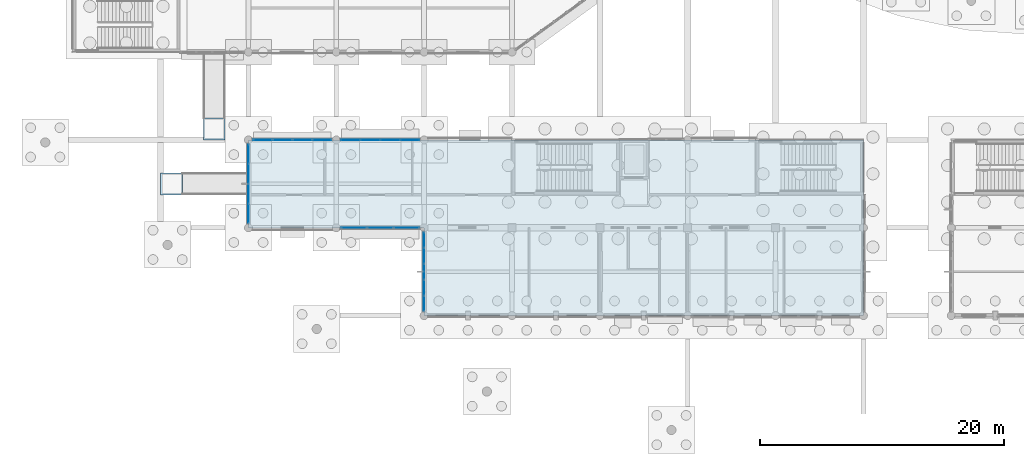
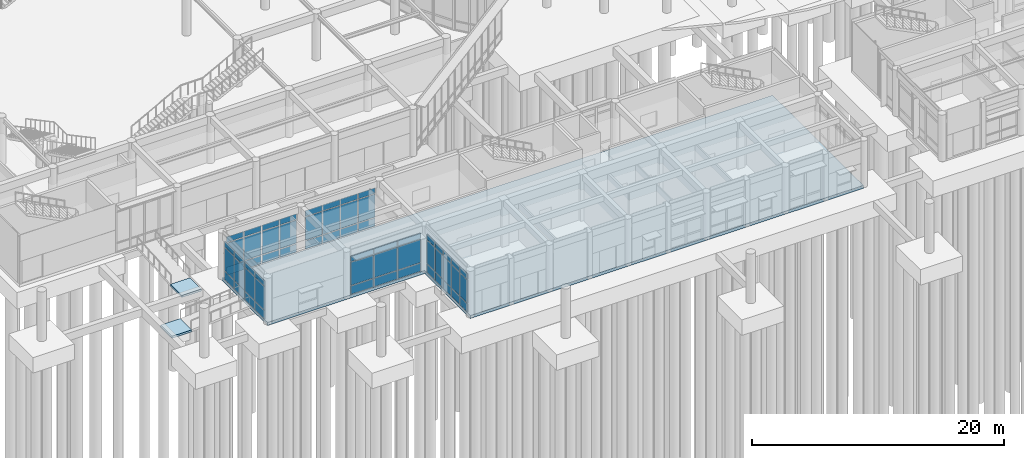
# One storey, part 40 of 103: 60 plates, 3 slabs, 7 elements without a shape of their own.
"""IFC4 building model written with IfcOpenShell, lengths in metres."""

from ifc_helpers import new_model, si_unit, direction, frame, origin, origin_2d, place, context, subcontext, project, spatial, polyline, rectangle, outline, extrude, material, layer, layer_set, type_object, element, aggregate, save


model = new_model("IFC4")

# Units and contexts
model_context = context("Model", 3, precision=1e-05, world=origin(), true_north=direction((0.0, 1.0)))
body_context = subcontext(model_context, "Body", "Model", "MODEL_VIEW")
ifc_project = project(units=[si_unit("LENGTHUNIT", "METRE"), si_unit("AREAUNIT", "SQUARE_METRE"), si_unit("VOLUMEUNIT", "CUBIC_METRE"), si_unit("PLANEANGLEUNIT", "RADIAN"), si_unit("MASSUNIT", "GRAM", prefix="KILO")], contexts=[model_context])

# Site, building, storey
site_placement = place(None, origin())
site = spatial("IfcSite", under=ifc_project, at=site_placement, CompositionType="ELEMENT")
building_placement = place(site_placement, origin())
building = spatial("IfcBuilding", under=site, at=building_placement, Name="Namkhue Oval Health Centre", CompositionType="ELEMENT")
storey_placement = place(building_placement, origin())
storey = spatial("IfcBuildingStorey", under=building, at=storey_placement, Name="L00", CompositionType="ELEMENT", Elevation=0.0)

# Curtain wall, plates
ifc_material_1 = material(Name="Anodised aluminium EN AW-6063 T6", Category="aluminium")
ifc_layer_1 = layer(ifc_material_1, 0.159912109375)
ifc_layer_set_1 = layer_set([ifc_layer_1], Name="Anodised aluminium EN AW-6063 T6")
curtain_wall_type_1 = type_object("IfcCurtainWallType", Name="UNITISED CURTAIN WALL M1500", PredefinedType="NOTDEFINED", material=ifc_layer_set_1)
curtain_wall_1_placement = place(storey_placement, origin())
curtain_wall_1 = element("IfcCurtainWall", 1, at=curtain_wall_1_placement, inside=storey, type_object=curtain_wall_type_1, Name="Volume V4 L00 Unitised Curtain Wall 141", PredefinedType="NOTDEFINED")
ifc_material_2 = material(Name="Thermally broken low-E laminated double glazing", Category="glass")
ifc_layer_2 = layer(ifc_material_2, 0.02587890625)
ifc_layer_set_2 = layer_set([ifc_layer_2], Name="Thermally broken low-E laminated double glazing")
plate_type_1 = type_object("IfcPlateType", Name="CURTAIN WALL GLAZED PANEL 26", PredefinedType="CURTAIN_PANEL", material=ifc_layer_set_2)
plate_1_placement = place(storey_placement, frame((49.232421875, 28.800048828125, 0.06494140625), z_axis=(0.0, 0.0, 1.0), x_axis=(-1.0, 0.0, 0.0)))
plate_1 = element("IfcPlate", 2, at=plate_1_placement, type_object=plate_type_1, Name="CW-03 panel 1.1", PredefinedType="CURTAIN_PANEL", context=body_context, shape_type="SweptSolid", body=[
    extrude(rectangle(XDim=1.534912109375, YDim=0.02587890625, at=origin_2d()), origin(), (0.0, 0.0, 1.0), 0.802490234375),
])
plate_2_placement = place(storey_placement, frame((49.232421875, 28.800048828125, 0.932373046875), z_axis=(0.0, 0.0, 1.0), x_axis=(-1.0, 0.0, 0.0)))
plate_2 = element("IfcPlate", 3, at=plate_2_placement, type_object=plate_type_1, Name="CW-03 panel 1.2", PredefinedType="CURTAIN_PANEL", context=body_context, shape_type="SweptSolid", body=[
    extrude(rectangle(XDim=1.534912109375, YDim=0.02587890625, at=origin_2d()), origin(), (0.0, 0.0, 1.0), 2.2451171875),
])
plate_3_placement = place(storey_placement, frame((49.232421875, 28.800048828125, 3.24267578125), z_axis=(0.0, 0.0, 1.0), x_axis=(-1.0, 0.0, 0.0)))
plate_3 = element("IfcPlate", 4, at=plate_3_placement, type_object=plate_type_1, Name="CW-03 panel 1.3", PredefinedType="CURTAIN_PANEL", context=body_context, shape_type="SweptSolid", body=[
    extrude(rectangle(XDim=1.534912109375, YDim=0.02587890625, at=origin_2d()), origin(), (0.0, 0.0, 1.0), 0.552490234375),
])
plate_4_placement = place(storey_placement, frame((47.6162109375, 28.800048828125, 0.06494140625), z_axis=(0.0, 0.0, 1.0), x_axis=(-1.0, 0.0, 0.0)))
plate_4 = element("IfcPlate", 5, at=plate_4_placement, type_object=plate_type_1, Name="CW-03 panel 2.1", PredefinedType="CURTAIN_PANEL", context=body_context, shape_type="SweptSolid", body=[
    extrude(rectangle(XDim=1.5673828125, YDim=0.02587890625, at=origin_2d()), origin(), (0.0, 0.0, 1.0), 0.802490234375),
])
plate_5_placement = place(storey_placement, frame((47.6162109375, 28.800048828125, 0.932373046875), z_axis=(0.0, 0.0, 1.0), x_axis=(-1.0, 0.0, 0.0)))
plate_5 = element("IfcPlate", 6, at=plate_5_placement, type_object=plate_type_1, Name="CW-03 panel 2.2", PredefinedType="CURTAIN_PANEL", context=body_context, shape_type="SweptSolid", body=[
    extrude(rectangle(XDim=1.5673828125, YDim=0.02587890625, at=origin_2d()), origin(), (0.0, 0.0, 1.0), 2.2451171875),
])
plate_6_placement = place(storey_placement, frame((47.6162109375, 28.800048828125, 3.24267578125), z_axis=(0.0, 0.0, 1.0), x_axis=(-1.0, 0.0, 0.0)))
plate_6 = element("IfcPlate", 7, at=plate_6_placement, type_object=plate_type_1, Name="CW-03 panel 2.3", PredefinedType="CURTAIN_PANEL", context=body_context, shape_type="SweptSolid", body=[
    extrude(rectangle(XDim=1.5673828125, YDim=0.02587890625, at=origin_2d()), origin(), (0.0, 0.0, 1.0), 0.552490234375),
])
plate_7_placement = place(storey_placement, frame((45.983642578125, 28.800048828125, 0.06494140625), z_axis=(0.0, 0.0, 1.0), x_axis=(-1.0, 0.0, 0.0)))
plate_7 = element("IfcPlate", 8, at=plate_7_placement, type_object=plate_type_1, Name="CW-03 panel 3.1", PredefinedType="CURTAIN_PANEL", context=body_context, shape_type="SweptSolid", body=[
    extrude(rectangle(XDim=1.5673828125, YDim=0.02587890625, at=origin_2d()), origin(), (0.0, 0.0, 1.0), 0.802490234375),
])
plate_8_placement = place(storey_placement, frame((45.983642578125, 28.800048828125, 0.932373046875), z_axis=(0.0, 0.0, 1.0), x_axis=(-1.0, 0.0, 0.0)))
plate_8 = element("IfcPlate", 9, at=plate_8_placement, type_object=plate_type_1, Name="CW-03 panel 3.2", PredefinedType="CURTAIN_PANEL", context=body_context, shape_type="SweptSolid", body=[
    extrude(rectangle(XDim=1.5673828125, YDim=0.02587890625, at=origin_2d()), origin(), (0.0, 0.0, 1.0), 2.2451171875),
])
plate_9_placement = place(storey_placement, frame((45.983642578125, 28.800048828125, 3.24267578125), z_axis=(0.0, 0.0, 1.0), x_axis=(-1.0, 0.0, 0.0)))
plate_9 = element("IfcPlate", 10, at=plate_9_placement, type_object=plate_type_1, Name="CW-03 panel 3.3", PredefinedType="CURTAIN_PANEL", context=body_context, shape_type="SweptSolid", body=[
    extrude(rectangle(XDim=1.5673828125, YDim=0.02587890625, at=origin_2d()), origin(), (0.0, 0.0, 1.0), 0.552490234375),
])
plate_10_placement = place(storey_placement, frame((44.367431640625, 28.800048828125, 0.06494140625), z_axis=(0.0, 0.0, 1.0), x_axis=(-1.0, 0.0, 0.0)))
plate_10 = element("IfcPlate", 11, at=plate_10_placement, type_object=plate_type_1, Name="CW-03 panel 4.1", PredefinedType="CURTAIN_PANEL", context=body_context, shape_type="SweptSolid", body=[
    extrude(rectangle(XDim=1.534912109375, YDim=0.02587890625, at=origin_2d()), origin(), (0.0, 0.0, 1.0), 0.802490234375),
])
plate_11_placement = place(storey_placement, frame((44.367431640625, 28.800048828125, 0.932373046875), z_axis=(0.0, 0.0, 1.0), x_axis=(-1.0, 0.0, 0.0)))
plate_11 = element("IfcPlate", 12, at=plate_11_placement, type_object=plate_type_1, Name="CW-03 panel 4.2", PredefinedType="CURTAIN_PANEL", context=body_context, shape_type="SweptSolid", body=[
    extrude(rectangle(XDim=1.534912109375, YDim=0.02587890625, at=origin_2d()), origin(), (0.0, 0.0, 1.0), 2.2451171875),
])
plate_12_placement = place(storey_placement, frame((44.367431640625, 28.800048828125, 3.24267578125), z_axis=(0.0, 0.0, 1.0), x_axis=(-1.0, 0.0, 0.0)))
plate_12 = element("IfcPlate", 13, at=plate_12_placement, type_object=plate_type_1, Name="CW-03 panel 4.3", PredefinedType="CURTAIN_PANEL", context=body_context, shape_type="SweptSolid", body=[
    extrude(rectangle(XDim=1.534912109375, YDim=0.02587890625, at=origin_2d()), origin(), (0.0, 0.0, 1.0), 0.552490234375),
])
aggregate(curtain_wall_1, [plate_1, plate_2, plate_3, plate_4, plate_5, plate_6, plate_7, plate_8, plate_9, plate_10, plate_11, plate_12])

ifc_layer_3 = layer(ifc_material_1, 0.159912109375)
ifc_layer_set_3 = layer_set([ifc_layer_3], Name="Anodised aluminium EN AW-6063 T6")
curtain_wall_type_2 = type_object("IfcCurtainWallType", Name="UNITISED CURTAIN WALL M1200", PredefinedType="NOTDEFINED", material=ifc_layer_set_3)
curtain_wall_2_placement = place(storey_placement, origin())
curtain_wall_2 = element("IfcCurtainWall", 14, at=curtain_wall_2_placement, inside=storey, type_object=curtain_wall_type_2, Name="Volume V4 L00 Unitised Curtain Wall 145", PredefinedType="NOTDEFINED")
plate_13_placement = place(storey_placement, frame((50.39990234375, 20.595703125, 0.06494140625), z_axis=(0.0, 0.0, 1.0), x_axis=(0.0, -1.0, 0.0)))
plate_13 = element("IfcPlate", 15, at=plate_13_placement, type_object=plate_type_1, Name="CW-01 panel 1.1", PredefinedType="CURTAIN_PANEL", context=body_context, shape_type="SweptSolid", body=[
    extrude(rectangle(XDim=1.20849609375, YDim=0.02587890625, at=origin_2d()), origin(), (0.0, 0.0, 1.0), 0.802490234375),
])
plate_14_placement = place(storey_placement, frame((50.39990234375, 20.595703125, 0.932373046875), z_axis=(0.0, 0.0, 1.0), x_axis=(0.0, -1.0, 0.0)))
plate_14 = element("IfcPlate", 16, at=plate_14_placement, type_object=plate_type_1, Name="CW-01 panel 1.2", PredefinedType="CURTAIN_PANEL", context=body_context, shape_type="SweptSolid", body=[
    extrude(rectangle(XDim=1.20849609375, YDim=0.02587890625, at=origin_2d()), origin(), (0.0, 0.0, 1.0), 2.2451171875),
])
plate_15_placement = place(storey_placement, frame((50.39990234375, 20.595703125, 3.24267578125), z_axis=(0.0, 0.0, 1.0), x_axis=(0.0, -1.0, 0.0)))
plate_15 = element("IfcPlate", 17, at=plate_15_placement, type_object=plate_type_1, Name="CW-01 panel 1.3", PredefinedType="CURTAIN_PANEL", context=body_context, shape_type="SweptSolid", body=[
    extrude(rectangle(XDim=1.20849609375, YDim=0.02587890625, at=origin_2d()), origin(), (0.0, 0.0, 1.0), 0.552490234375),
])
plate_16_placement = place(storey_placement, frame((50.39990234375, 19.305908203125, 0.06494140625), z_axis=(0.0, 0.0, 1.0), x_axis=(0.0, -1.0, 0.0)))
plate_16 = element("IfcPlate", 18, at=plate_16_placement, type_object=plate_type_1, Name="CW-01 panel 2.1", PredefinedType="CURTAIN_PANEL", context=body_context, shape_type="SweptSolid", body=[
    extrude(rectangle(XDim=1.240966796875, YDim=0.02587890625, at=origin_2d()), origin(), (0.0, 0.0, 1.0), 0.802490234375),
])
plate_17_placement = place(storey_placement, frame((50.39990234375, 19.305908203125, 0.932373046875), z_axis=(0.0, 0.0, 1.0), x_axis=(0.0, -1.0, 0.0)))
plate_17 = element("IfcPlate", 19, at=plate_17_placement, type_object=plate_type_1, Name="CW-01 panel 2.2", PredefinedType="CURTAIN_PANEL", context=body_context, shape_type="SweptSolid", body=[
    extrude(rectangle(XDim=1.240966796875, YDim=0.02587890625, at=origin_2d()), origin(), (0.0, 0.0, 1.0), 2.2451171875),
])
plate_18_placement = place(storey_placement, frame((50.39990234375, 19.305908203125, 3.24267578125), z_axis=(0.0, 0.0, 1.0), x_axis=(0.0, -1.0, 0.0)))
plate_18 = element("IfcPlate", 20, at=plate_18_placement, type_object=plate_type_1, Name="CW-01 panel 2.3", PredefinedType="CURTAIN_PANEL", context=body_context, shape_type="SweptSolid", body=[
    extrude(rectangle(XDim=1.240966796875, YDim=0.02587890625, at=origin_2d()), origin(), (0.0, 0.0, 1.0), 0.552490234375),
])
plate_19_placement = place(storey_placement, frame((50.39990234375, 18.0, 0.06494140625), z_axis=(0.0, 0.0, 1.0), x_axis=(0.0, -1.0, 0.0)))
plate_19 = element("IfcPlate", 21, at=plate_19_placement, type_object=plate_type_1, Name="CW-01 panel 3.1", PredefinedType="CURTAIN_PANEL", context=body_context, shape_type="SweptSolid", body=[
    extrude(rectangle(XDim=1.240966796875, YDim=0.02587890625, at=origin_2d()), origin(), (0.0, 0.0, 1.0), 0.802490234375),
])
plate_20_placement = place(storey_placement, frame((50.39990234375, 18.0, 0.932373046875), z_axis=(0.0, 0.0, 1.0), x_axis=(0.0, -1.0, 0.0)))
plate_20 = element("IfcPlate", 22, at=plate_20_placement, type_object=plate_type_1, Name="CW-01 panel 3.2", PredefinedType="CURTAIN_PANEL", context=body_context, shape_type="SweptSolid", body=[
    extrude(rectangle(XDim=1.240966796875, YDim=0.02587890625, at=origin_2d()), origin(), (0.0, 0.0, 1.0), 2.2451171875),
])
plate_21_placement = place(storey_placement, frame((50.39990234375, 18.0, 3.24267578125), z_axis=(0.0, 0.0, 1.0), x_axis=(0.0, -1.0, 0.0)))
plate_21 = element("IfcPlate", 23, at=plate_21_placement, type_object=plate_type_1, Name="CW-01 panel 3.3", PredefinedType="CURTAIN_PANEL", context=body_context, shape_type="SweptSolid", body=[
    extrude(rectangle(XDim=1.240966796875, YDim=0.02587890625, at=origin_2d()), origin(), (0.0, 0.0, 1.0), 0.552490234375),
])
plate_22_placement = place(storey_placement, frame((50.39990234375, 16.694091796875, 0.06494140625), z_axis=(0.0, 0.0, 1.0), x_axis=(0.0, -1.0, 0.0)))
plate_22 = element("IfcPlate", 24, at=plate_22_placement, type_object=plate_type_1, Name="CW-01 panel 4.1", PredefinedType="CURTAIN_PANEL", context=body_context, shape_type="SweptSolid", body=[
    extrude(rectangle(XDim=1.240966796875, YDim=0.02587890625, at=origin_2d()), origin(), (0.0, 0.0, 1.0), 0.802490234375),
])
plate_23_placement = place(storey_placement, frame((50.39990234375, 16.694091796875, 0.932373046875), z_axis=(0.0, 0.0, 1.0), x_axis=(0.0, -1.0, 0.0)))
plate_23 = element("IfcPlate", 25, at=plate_23_placement, type_object=plate_type_1, Name="CW-01 panel 4.2", PredefinedType="CURTAIN_PANEL", context=body_context, shape_type="SweptSolid", body=[
    extrude(rectangle(XDim=1.240966796875, YDim=0.02587890625, at=origin_2d()), origin(), (0.0, 0.0, 1.0), 2.2451171875),
])
plate_24_placement = place(storey_placement, frame((50.39990234375, 16.694091796875, 3.24267578125), z_axis=(0.0, 0.0, 1.0), x_axis=(0.0, -1.0, 0.0)))
plate_24 = element("IfcPlate", 26, at=plate_24_placement, type_object=plate_type_1, Name="CW-01 panel 4.3", PredefinedType="CURTAIN_PANEL", context=body_context, shape_type="SweptSolid", body=[
    extrude(rectangle(XDim=1.240966796875, YDim=0.02587890625, at=origin_2d()), origin(), (0.0, 0.0, 1.0), 0.552490234375),
])
plate_25_placement = place(storey_placement, frame((50.39990234375, 15.404296875, 0.06494140625), z_axis=(0.0, 0.0, 1.0), x_axis=(0.0, -1.0, 0.0)))
plate_25 = element("IfcPlate", 27, at=plate_25_placement, type_object=plate_type_1, Name="CW-01 panel 5.1", PredefinedType="CURTAIN_PANEL", context=body_context, shape_type="SweptSolid", body=[
    extrude(rectangle(XDim=1.20849609375, YDim=0.02587890625, at=origin_2d()), origin(), (0.0, 0.0, 1.0), 0.802490234375),
])
plate_26_placement = place(storey_placement, frame((50.39990234375, 15.404296875, 0.932373046875), z_axis=(0.0, 0.0, 1.0), x_axis=(0.0, -1.0, 0.0)))
plate_26 = element("IfcPlate", 28, at=plate_26_placement, type_object=plate_type_1, Name="CW-01 panel 5.2", PredefinedType="CURTAIN_PANEL", context=body_context, shape_type="SweptSolid", body=[
    extrude(rectangle(XDim=1.20849609375, YDim=0.02587890625, at=origin_2d()), origin(), (0.0, 0.0, 1.0), 2.2451171875),
])
plate_27_placement = place(storey_placement, frame((50.39990234375, 15.404296875, 3.24267578125), z_axis=(0.0, 0.0, 1.0), x_axis=(0.0, -1.0, 0.0)))
plate_27 = element("IfcPlate", 29, at=plate_27_placement, type_object=plate_type_1, Name="CW-01 panel 5.3", PredefinedType="CURTAIN_PANEL", context=body_context, shape_type="SweptSolid", body=[
    extrude(rectangle(XDim=1.20849609375, YDim=0.02587890625, at=origin_2d()), origin(), (0.0, 0.0, 1.0), 0.552490234375),
])
aggregate(curtain_wall_2, [plate_13, plate_14, plate_15, plate_16, plate_17, plate_18, plate_19, plate_20, plate_21, plate_22, plate_23, plate_24, plate_25, plate_26, plate_27])

ifc_layer_4 = layer(ifc_material_1, 0.159912109375)
ifc_layer_set_4 = layer_set([ifc_layer_4], Name="Anodised aluminium EN AW-6063 T6")
curtain_wall_type_3 = type_object("IfcCurtainWallType", Name="UNITISED CURTAIN WALL M1600", PredefinedType="NOTDEFINED", material=ifc_layer_set_4)
curtain_wall_3_placement = place(storey_placement, origin())
curtain_wall_3 = element("IfcCurtainWall", 30, at=curtain_wall_3_placement, inside=storey, type_object=curtain_wall_type_3, Name="Volume V4 L00 Unitised Curtain Wall 142", PredefinedType="NOTDEFINED")
ifc_layer_5 = layer(ifc_material_2, 0.028076171875)
ifc_layer_set_5 = layer_set([ifc_layer_5], Name="Thermally broken low-E laminated double glazing")
plate_type_2 = type_object("IfcPlateType", Name="CURTAIN WALL GLAZED PANEL 28", PredefinedType="CURTAIN_PANEL", material=ifc_layer_set_5)
plate_28_placement = place(storey_placement, frame((42.030029296875, 28.800048828125, 0.074951171875), z_axis=(0.0, 0.0, 1.0), x_axis=(-1.0, 0.0, 0.0)))
plate_28 = element("IfcPlate", 31, at=plate_28_placement, type_object=plate_type_2, Name="CW-04 panel 1.1", PredefinedType="CURTAIN_PANEL", context=body_context, shape_type="SweptSolid", body=[
    extrude(rectangle(XDim=1.52001953125, YDim=0.028076171875, at=origin_2d()), origin(), (0.0, 0.0, 1.0), 0.78759765625),
])
plate_29_placement = place(storey_placement, frame((42.030029296875, 28.800048828125, 0.9375), z_axis=(0.0, 0.0, 1.0), x_axis=(-1.0, 0.0, 0.0)))
plate_29 = element("IfcPlate", 32, at=plate_29_placement, type_object=plate_type_2, Name="CW-04 panel 1.2", PredefinedType="CURTAIN_PANEL", context=body_context, shape_type="SweptSolid", body=[
    extrude(rectangle(XDim=1.52001953125, YDim=0.028076171875, at=origin_2d()), origin(), (0.0, 0.0, 1.0), 2.235107421875),
])
plate_30_placement = place(storey_placement, frame((42.030029296875, 28.800048828125, 3.24755859375), z_axis=(0.0, 0.0, 1.0), x_axis=(-1.0, 0.0, 0.0)))
plate_30 = element("IfcPlate", 33, at=plate_30_placement, type_object=plate_type_2, Name="CW-04 panel 1.3", PredefinedType="CURTAIN_PANEL", context=body_context, shape_type="SweptSolid", body=[
    extrude(rectangle(XDim=1.52001953125, YDim=0.028076171875, at=origin_2d()), origin(), (0.0, 0.0, 1.0), 0.53759765625),
])
plate_31_placement = place(storey_placement, frame((40.416259765625, 28.800048828125, 0.074951171875), z_axis=(0.0, 0.0, 1.0), x_axis=(-1.0, 0.0, 0.0)))
plate_31 = element("IfcPlate", 34, at=plate_31_placement, type_object=plate_type_2, Name="CW-04 panel 2.1", PredefinedType="CURTAIN_PANEL", context=body_context, shape_type="SweptSolid", body=[
    extrude(rectangle(XDim=1.5576171875, YDim=0.028076171875, at=origin_2d()), origin(), (0.0, 0.0, 1.0), 0.78759765625),
])
plate_32_placement = place(storey_placement, frame((40.416259765625, 28.800048828125, 0.9375), z_axis=(0.0, 0.0, 1.0), x_axis=(-1.0, 0.0, 0.0)))
plate_32 = element("IfcPlate", 35, at=plate_32_placement, type_object=plate_type_2, Name="CW-04 panel 2.2", PredefinedType="CURTAIN_PANEL", context=body_context, shape_type="SweptSolid", body=[
    extrude(rectangle(XDim=1.5576171875, YDim=0.028076171875, at=origin_2d()), origin(), (0.0, 0.0, 1.0), 2.235107421875),
])
plate_33_placement = place(storey_placement, frame((40.416259765625, 28.800048828125, 3.24755859375), z_axis=(0.0, 0.0, 1.0), x_axis=(-1.0, 0.0, 0.0)))
plate_33 = element("IfcPlate", 36, at=plate_33_placement, type_object=plate_type_2, Name="CW-04 panel 2.3", PredefinedType="CURTAIN_PANEL", context=body_context, shape_type="SweptSolid", body=[
    extrude(rectangle(XDim=1.5576171875, YDim=0.028076171875, at=origin_2d()), origin(), (0.0, 0.0, 1.0), 0.53759765625),
])
plate_34_placement = place(storey_placement, frame((38.78369140625, 28.800048828125, 0.074951171875), z_axis=(0.0, 0.0, 1.0), x_axis=(-1.0, 0.0, 0.0)))
plate_34 = element("IfcPlate", 37, at=plate_34_placement, type_object=plate_type_2, Name="CW-04 panel 3.1", PredefinedType="CURTAIN_PANEL", context=body_context, shape_type="SweptSolid", body=[
    extrude(rectangle(XDim=1.5576171875, YDim=0.028076171875, at=origin_2d()), origin(), (0.0, 0.0, 1.0), 0.78759765625),
])
plate_35_placement = place(storey_placement, frame((38.78369140625, 28.800048828125, 0.9375), z_axis=(0.0, 0.0, 1.0), x_axis=(-1.0, 0.0, 0.0)))
plate_35 = element("IfcPlate", 38, at=plate_35_placement, type_object=plate_type_2, Name="CW-04 panel 3.2", PredefinedType="CURTAIN_PANEL", context=body_context, shape_type="SweptSolid", body=[
    extrude(rectangle(XDim=1.5576171875, YDim=0.028076171875, at=origin_2d()), origin(), (0.0, 0.0, 1.0), 2.235107421875),
])
plate_36_placement = place(storey_placement, frame((38.78369140625, 28.800048828125, 3.24755859375), z_axis=(0.0, 0.0, 1.0), x_axis=(-1.0, 0.0, 0.0)))
plate_36 = element("IfcPlate", 39, at=plate_36_placement, type_object=plate_type_2, Name="CW-04 panel 3.3", PredefinedType="CURTAIN_PANEL", context=body_context, shape_type="SweptSolid", body=[
    extrude(rectangle(XDim=1.5576171875, YDim=0.028076171875, at=origin_2d()), origin(), (0.0, 0.0, 1.0), 0.53759765625),
])
plate_37_placement = place(storey_placement, frame((37.169921875, 28.800048828125, 0.074951171875), z_axis=(0.0, 0.0, 1.0), x_axis=(-1.0, 0.0, 0.0)))
plate_37 = element("IfcPlate", 40, at=plate_37_placement, type_object=plate_type_2, Name="CW-04 panel 4.1", PredefinedType="CURTAIN_PANEL", context=body_context, shape_type="SweptSolid", body=[
    extrude(rectangle(XDim=1.52001953125, YDim=0.028076171875, at=origin_2d()), origin(), (0.0, 0.0, 1.0), 0.78759765625),
])
plate_38_placement = place(storey_placement, frame((37.169921875, 28.800048828125, 0.9375), z_axis=(0.0, 0.0, 1.0), x_axis=(-1.0, 0.0, 0.0)))
plate_38 = element("IfcPlate", 41, at=plate_38_placement, type_object=plate_type_2, Name="CW-04 panel 4.2", PredefinedType="CURTAIN_PANEL", context=body_context, shape_type="SweptSolid", body=[
    extrude(rectangle(XDim=1.52001953125, YDim=0.028076171875, at=origin_2d()), origin(), (0.0, 0.0, 1.0), 2.235107421875),
])
plate_39_placement = place(storey_placement, frame((37.169921875, 28.800048828125, 3.24755859375), z_axis=(0.0, 0.0, 1.0), x_axis=(-1.0, 0.0, 0.0)))
plate_39 = element("IfcPlate", 42, at=plate_39_placement, type_object=plate_type_2, Name="CW-04 panel 4.3", PredefinedType="CURTAIN_PANEL", context=body_context, shape_type="SweptSolid", body=[
    extrude(rectangle(XDim=1.52001953125, YDim=0.028076171875, at=origin_2d()), origin(), (0.0, 0.0, 1.0), 0.53759765625),
])
aggregate(curtain_wall_3, [plate_28, plate_29, plate_30, plate_31, plate_32, plate_33, plate_34, plate_35, plate_36, plate_37, plate_38, plate_39])

ifc_layer_6 = layer(ifc_material_1, 0.159912109375)
ifc_layer_set_6 = layer_set([ifc_layer_6], Name="Anodised aluminium EN AW-6063 T6")
curtain_wall_type_4 = type_object("IfcCurtainWallType", Name="UNITISED CURTAIN WALL M1800", PredefinedType="NOTDEFINED", material=ifc_layer_set_6)
curtain_wall_4_placement = place(storey_placement, origin())
curtain_wall_4 = element("IfcCurtainWall", 43, at=curtain_wall_4_placement, inside=storey, type_object=curtain_wall_type_4, Name="Volume V4 L00 Unitised Curtain Wall 143", PredefinedType="NOTDEFINED")
ifc_material_3 = material(Name="Insulated anodised aluminium spandrel panel", Category="aluminium")
ifc_layer_7 = layer(ifc_material_3, 0.031982421875)
ifc_layer_set_7 = layer_set([ifc_layer_7], Name="Insulated anodised aluminium spandrel panel")
plate_type_3 = type_object("IfcPlateType", Name="CURTAIN WALL SPANDREL PANEL 32", PredefinedType="CURTAIN_PANEL", material=ifc_layer_set_7)
plate_40_placement = place(storey_placement, frame((36.0, 27.632568359375, 0.06494140625), z_axis=(0.0, 0.0, 1.0), x_axis=(0.0, -1.0, 0.0)))
plate_40 = element("IfcPlate", 44, at=plate_40_placement, type_object=plate_type_3, Name="CW-05 panel 1.1", PredefinedType="CURTAIN_PANEL", context=body_context, shape_type="SweptSolid", body=[
    extrude(rectangle(XDim=1.534912109375, YDim=0.031982421875, at=origin_2d()), origin(), (0.0, 0.0, 1.0), 0.802490234375),
])
plate_41_placement = place(storey_placement, frame((36.0, 27.632568359375, 0.932373046875), z_axis=(0.0, 0.0, 1.0), x_axis=(0.0, -1.0, 0.0)))
plate_41 = element("IfcPlate", 45, at=plate_41_placement, type_object=plate_type_3, Name="CW-05 panel 1.2", PredefinedType="CURTAIN_PANEL", context=body_context, shape_type="SweptSolid", body=[
    extrude(rectangle(XDim=1.534912109375, YDim=0.031982421875, at=origin_2d()), origin(), (0.0, 0.0, 1.0), 2.2451171875),
])
plate_42_placement = place(storey_placement, frame((36.0, 27.632568359375, 3.24267578125), z_axis=(0.0, 0.0, 1.0), x_axis=(0.0, -1.0, 0.0)))
plate_42 = element("IfcPlate", 46, at=plate_42_placement, type_object=plate_type_3, Name="CW-05 panel 1.3", PredefinedType="CURTAIN_PANEL", context=body_context, shape_type="SweptSolid", body=[
    extrude(rectangle(XDim=1.534912109375, YDim=0.031982421875, at=origin_2d()), origin(), (0.0, 0.0, 1.0), 0.552490234375),
])
plate_43_placement = place(storey_placement, frame((36.0, 26.016357421875, 0.06494140625), z_axis=(0.0, 0.0, 1.0), x_axis=(0.0, -1.0, 0.0)))
plate_43 = element("IfcPlate", 47, at=plate_43_placement, type_object=plate_type_3, Name="CW-05 panel 2.1", PredefinedType="CURTAIN_PANEL", context=body_context, shape_type="SweptSolid", body=[
    extrude(rectangle(XDim=1.5673828125, YDim=0.031982421875, at=origin_2d()), origin(), (0.0, 0.0, 1.0), 0.802490234375),
])
plate_44_placement = place(storey_placement, frame((36.0, 26.016357421875, 0.932373046875), z_axis=(0.0, 0.0, 1.0), x_axis=(0.0, -1.0, 0.0)))
plate_44 = element("IfcPlate", 48, at=plate_44_placement, type_object=plate_type_3, Name="CW-05 panel 2.2", PredefinedType="CURTAIN_PANEL", context=body_context, shape_type="SweptSolid", body=[
    extrude(rectangle(XDim=1.5673828125, YDim=0.031982421875, at=origin_2d()), origin(), (0.0, 0.0, 1.0), 2.2451171875),
])
plate_45_placement = place(storey_placement, frame((36.0, 26.016357421875, 3.24267578125), z_axis=(0.0, 0.0, 1.0), x_axis=(0.0, -1.0, 0.0)))
plate_45 = element("IfcPlate", 49, at=plate_45_placement, type_object=plate_type_3, Name="CW-05 panel 2.3", PredefinedType="CURTAIN_PANEL", context=body_context, shape_type="SweptSolid", body=[
    extrude(rectangle(XDim=1.5673828125, YDim=0.031982421875, at=origin_2d()), origin(), (0.0, 0.0, 1.0), 0.552490234375),
])
plate_46_placement = place(storey_placement, frame((36.0, 24.3837890625, 0.06494140625), z_axis=(0.0, 0.0, 1.0), x_axis=(0.0, -1.0, 0.0)))
plate_46 = element("IfcPlate", 50, at=plate_46_placement, type_object=plate_type_3, Name="CW-05 panel 3.1", PredefinedType="CURTAIN_PANEL", context=body_context, shape_type="SweptSolid", body=[
    extrude(rectangle(XDim=1.5673828125, YDim=0.031982421875, at=origin_2d()), origin(), (0.0, 0.0, 1.0), 0.802490234375),
])
plate_47_placement = place(storey_placement, frame((36.0, 24.3837890625, 0.932373046875), z_axis=(0.0, 0.0, 1.0), x_axis=(0.0, -1.0, 0.0)))
plate_47 = element("IfcPlate", 51, at=plate_47_placement, type_object=plate_type_3, Name="CW-05 panel 3.2", PredefinedType="CURTAIN_PANEL", context=body_context, shape_type="SweptSolid", body=[
    extrude(rectangle(XDim=1.5673828125, YDim=0.031982421875, at=origin_2d()), origin(), (0.0, 0.0, 1.0), 2.2451171875),
])
plate_48_placement = place(storey_placement, frame((36.0, 24.3837890625, 3.24267578125), z_axis=(0.0, 0.0, 1.0), x_axis=(0.0, -1.0, 0.0)))
plate_48 = element("IfcPlate", 52, at=plate_48_placement, type_object=plate_type_3, Name="CW-05 panel 3.3", PredefinedType="CURTAIN_PANEL", context=body_context, shape_type="SweptSolid", body=[
    extrude(rectangle(XDim=1.5673828125, YDim=0.031982421875, at=origin_2d()), origin(), (0.0, 0.0, 1.0), 0.552490234375),
])
plate_49_placement = place(storey_placement, frame((36.0, 22.767578125, 0.06494140625), z_axis=(0.0, 0.0, 1.0), x_axis=(0.0, -1.0, 0.0)))
plate_49 = element("IfcPlate", 53, at=plate_49_placement, type_object=plate_type_3, Name="CW-05 panel 4.1", PredefinedType="CURTAIN_PANEL", context=body_context, shape_type="SweptSolid", body=[
    extrude(rectangle(XDim=1.534912109375, YDim=0.031982421875, at=origin_2d()), origin(), (0.0, 0.0, 1.0), 0.802490234375),
])
plate_50_placement = place(storey_placement, frame((36.0, 22.767578125, 0.932373046875), z_axis=(0.0, 0.0, 1.0), x_axis=(0.0, -1.0, 0.0)))
plate_50 = element("IfcPlate", 54, at=plate_50_placement, type_object=plate_type_3, Name="CW-05 panel 4.2", PredefinedType="CURTAIN_PANEL", context=body_context, shape_type="SweptSolid", body=[
    extrude(rectangle(XDim=1.534912109375, YDim=0.031982421875, at=origin_2d()), origin(), (0.0, 0.0, 1.0), 2.2451171875),
])
plate_51_placement = place(storey_placement, frame((36.0, 22.767578125, 3.24267578125), z_axis=(0.0, 0.0, 1.0), x_axis=(0.0, -1.0, 0.0)))
plate_51 = element("IfcPlate", 55, at=plate_51_placement, type_object=plate_type_3, Name="CW-05 panel 4.3", PredefinedType="CURTAIN_PANEL", context=body_context, shape_type="SweptSolid", body=[
    extrude(rectangle(XDim=1.534912109375, YDim=0.031982421875, at=origin_2d()), origin(), (0.0, 0.0, 1.0), 0.552490234375),
])
aggregate(curtain_wall_4, [plate_40, plate_41, plate_42, plate_43, plate_44, plate_45, plate_46, plate_47, plate_48, plate_49, plate_50, plate_51])

ifc_layer_8 = layer(ifc_material_1, 0.159912109375)
ifc_layer_set_8 = layer_set([ifc_layer_8], Name="Anodised aluminium EN AW-6063 T6")
curtain_wall_type_5 = type_object("IfcCurtainWallType", Name="UNITISED CURTAIN WALL M2000", PredefinedType="NOTDEFINED", material=ifc_layer_set_8)
curtain_wall_5_placement = place(storey_placement, origin())
curtain_wall_5 = element("IfcCurtainWall", 56, at=curtain_wall_5_placement, inside=storey, type_object=curtain_wall_type_5, Name="Volume V4 L00 Unitised Curtain Wall 144", PredefinedType="NOTDEFINED")
ifc_layer_9 = layer(ifc_material_3, 0.035888671875)
ifc_layer_set_9 = layer_set([ifc_layer_9], Name="Insulated anodised aluminium spandrel panel")
plate_type_4 = type_object("IfcPlateType", Name="CURTAIN WALL SPANDREL PANEL 36", PredefinedType="CURTAIN_PANEL", material=ifc_layer_set_9)
plate_52_placement = place(storey_placement, frame((44.64208984375, 21.60009765625, 0.074951171875), z_axis=(0.0, 0.0, 1.0), x_axis=(1.0, 0.0, 0.0)))
plate_52 = element("IfcPlate", 57, at=plate_52_placement, type_object=plate_type_4, Name="CW-06 panel 1.1", PredefinedType="CURTAIN_PANEL", context=body_context, shape_type="SweptSolid", body=[
    extrude(rectangle(XDim=2.064208984375, YDim=0.035888671875, at=origin_2d()), origin(), (0.0, 0.0, 1.0), 0.78759765625),
])
plate_53_placement = place(storey_placement, frame((44.64208984375, 21.60009765625, 0.9375), z_axis=(0.0, 0.0, 1.0), x_axis=(1.0, 0.0, 0.0)))
plate_53 = element("IfcPlate", 58, at=plate_53_placement, type_object=plate_type_4, Name="CW-06 panel 1.2", PredefinedType="CURTAIN_PANEL", context=body_context, shape_type="SweptSolid", body=[
    extrude(rectangle(XDim=2.064208984375, YDim=0.035888671875, at=origin_2d()), origin(), (0.0, 0.0, 1.0), 2.235107421875),
])
plate_54_placement = place(storey_placement, frame((44.64208984375, 21.60009765625, 3.24755859375), z_axis=(0.0, 0.0, 1.0), x_axis=(1.0, 0.0, 0.0)))
plate_54 = element("IfcPlate", 59, at=plate_54_placement, type_object=plate_type_4, Name="CW-06 panel 1.3", PredefinedType="CURTAIN_PANEL", context=body_context, shape_type="SweptSolid", body=[
    extrude(rectangle(XDim=2.064208984375, YDim=0.035888671875, at=origin_2d()), origin(), (0.0, 0.0, 1.0), 0.53759765625),
])
plate_55_placement = place(storey_placement, frame((46.800048828125, 21.60009765625, 0.074951171875), z_axis=(0.0, 0.0, 1.0), x_axis=(1.0, 0.0, 0.0)))
plate_55 = element("IfcPlate", 60, at=plate_55_placement, type_object=plate_type_4, Name="CW-06 panel 2.1", PredefinedType="CURTAIN_PANEL", context=body_context, shape_type="SweptSolid", body=[
    extrude(rectangle(XDim=2.1015625, YDim=0.035888671875, at=origin_2d()), origin(), (0.0, 0.0, 1.0), 0.78759765625),
])
plate_56_placement = place(storey_placement, frame((46.800048828125, 21.60009765625, 0.9375), z_axis=(0.0, 0.0, 1.0), x_axis=(1.0, 0.0, 0.0)))
plate_56 = element("IfcPlate", 61, at=plate_56_placement, type_object=plate_type_4, Name="CW-06 panel 2.2", PredefinedType="CURTAIN_PANEL", context=body_context, shape_type="SweptSolid", body=[
    extrude(rectangle(XDim=2.1015625, YDim=0.035888671875, at=origin_2d()), origin(), (0.0, 0.0, 1.0), 2.235107421875),
])
plate_57_placement = place(storey_placement, frame((46.800048828125, 21.60009765625, 3.24755859375), z_axis=(0.0, 0.0, 1.0), x_axis=(1.0, 0.0, 0.0)))
plate_57 = element("IfcPlate", 62, at=plate_57_placement, type_object=plate_type_4, Name="CW-06 panel 2.3", PredefinedType="CURTAIN_PANEL", context=body_context, shape_type="SweptSolid", body=[
    extrude(rectangle(XDim=2.1015625, YDim=0.035888671875, at=origin_2d()), origin(), (0.0, 0.0, 1.0), 0.53759765625),
])
plate_58_placement = place(storey_placement, frame((48.9580078125, 21.60009765625, 0.074951171875), z_axis=(0.0, 0.0, 1.0), x_axis=(1.0, 0.0, 0.0)))
plate_58 = element("IfcPlate", 63, at=plate_58_placement, type_object=plate_type_4, Name="CW-06 panel 3.1", PredefinedType="CURTAIN_PANEL", context=body_context, shape_type="SweptSolid", body=[
    extrude(rectangle(XDim=2.064208984375, YDim=0.035888671875, at=origin_2d()), origin(), (0.0, 0.0, 1.0), 0.78759765625),
])
plate_59_placement = place(storey_placement, frame((48.9580078125, 21.60009765625, 0.9375), z_axis=(0.0, 0.0, 1.0), x_axis=(1.0, 0.0, 0.0)))
plate_59 = element("IfcPlate", 64, at=plate_59_placement, type_object=plate_type_4, Name="CW-06 panel 3.2", PredefinedType="CURTAIN_PANEL", context=body_context, shape_type="SweptSolid", body=[
    extrude(rectangle(XDim=2.064208984375, YDim=0.035888671875, at=origin_2d()), origin(), (0.0, 0.0, 1.0), 2.235107421875),
])
plate_60_placement = place(storey_placement, frame((48.9580078125, 21.60009765625, 3.24755859375), z_axis=(0.0, 0.0, 1.0), x_axis=(1.0, 0.0, 0.0)))
plate_60 = element("IfcPlate", 65, at=plate_60_placement, type_object=plate_type_4, Name="CW-06 panel 3.3", PredefinedType="CURTAIN_PANEL", context=body_context, shape_type="SweptSolid", body=[
    extrude(rectangle(XDim=2.064208984375, YDim=0.035888671875, at=origin_2d()), origin(), (0.0, 0.0, 1.0), 0.53759765625),
])
aggregate(curtain_wall_5, [plate_52, plate_53, plate_54, plate_55, plate_56, plate_57, plate_58, plate_59, plate_60])

# Slab
ifc_material_4 = material(Name="Reinforced concrete C30/37 (TCVN B35)", Category="concrete")
ifc_layer_10 = layer(ifc_material_4, 0.284912109375)
ifc_layer_set_10 = layer_set([ifc_layer_10], Name="Reinforced concrete C30/37 (TCVN B35)")
slab_type_1 = type_object("IfcSlabType", Name="GROUND BASE SLAB 285", PredefinedType="BASESLAB", material=ifc_layer_set_10)
slab_1_placement = place(storey_placement, frame((0.0, 0.0, -0.284912109375)))
element("IfcSlab", 66, at=slab_1_placement, inside=storey, type_object=slab_type_1, Name="Volume V4 L00 Ground Base Slab", PredefinedType="BASESLAB", context=body_context, shape_type="SweptSolid", body=[
    extrude(outline(polyline([(50.39990234375, 14.39990234375), (86.39990234375, 14.39990234375), (86.39990234375, 28.800048828125), (36.0, 28.800048828125), (36.0, 21.60009765625), (50.39990234375, 21.60009765625), (50.39990234375, 14.39990234375)])), origin(), (0.0, 0.0, 1.0), 0.284912109375),
])

# Ramp, slab
ramp_type = type_object("IfcRampType", Name="ACCESSIBLE ENTRANCE RAMP", PredefinedType="STRAIGHT_RUN_RAMP", material=ifc_material_4)
ramp_1_placement = place(storey_placement, origin())
ramp_1 = element("IfcRamp", 67, at=ramp_1_placement, inside=storey, type_object=ramp_type, Name="Waiting Hall South Pharmacy Ramp", PredefinedType="STRAIGHT_RUN_RAMP")
ifc_layer_11 = layer(ifc_material_4, 0.199951171875)
ifc_layer_set_11 = layer_set([ifc_layer_11], Name="Reinforced concrete C30/37 (TCVN B35)")
slab_type_2 = type_object("IfcSlabType", Name="RAMP LANDING SLAB 200", PredefinedType="LANDING", material=ifc_layer_set_11)
slab_2_placement = place(storey_placement, frame((0.0, 0.0, -0.64990234375)))
slab_2 = element("IfcSlab", 68, at=slab_2_placement, type_object=slab_type_2, Name="Waiting Hall South Pharmacy Ramp Bottom Landing", PredefinedType="LANDING", context=body_context, shape_type="SweptSolid", body=[
    extrude(outline(polyline([(34.10009765625, 28.800048828125), (34.10009765625, 30.60009765625), (32.300048828125, 30.60009765625), (32.300048828125, 28.800048828125), (34.10009765625, 28.800048828125)])), origin(), (0.0, 0.0, 1.0), 0.199951171875),
])
aggregate(ramp_1, [slab_2])

ramp_2_placement = place(storey_placement, origin())
ramp_2 = element("IfcRamp", 69, at=ramp_2_placement, inside=storey, type_object=ramp_type, Name="Emergency Triage West Arrival Ramp", PredefinedType="STRAIGHT_RUN_RAMP")
slab_3_placement = place(storey_placement, frame((0.0, 0.0, -0.64990234375)))
slab_3 = element("IfcSlab", 70, at=slab_3_placement, type_object=slab_type_2, Name="Emergency Triage West Arrival Ramp Bottom Landing", PredefinedType="LANDING", context=body_context, shape_type="SweptSolid", body=[
    extrude(outline(polyline([(28.800048828125, 24.300048828125), (30.60009765625, 24.300048828125), (30.60009765625, 26.10009765625), (28.800048828125, 26.10009765625), (28.800048828125, 24.300048828125)])), origin(), (0.0, 0.0, 1.0), 0.199951171875),
])
aggregate(ramp_2, [slab_3])

save(model, "model.ifc")
